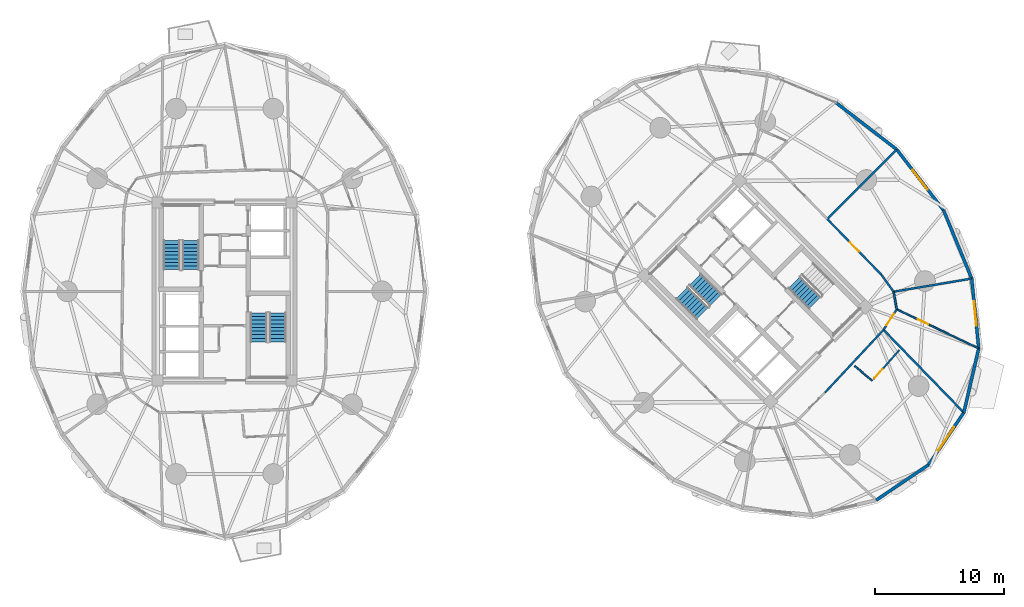
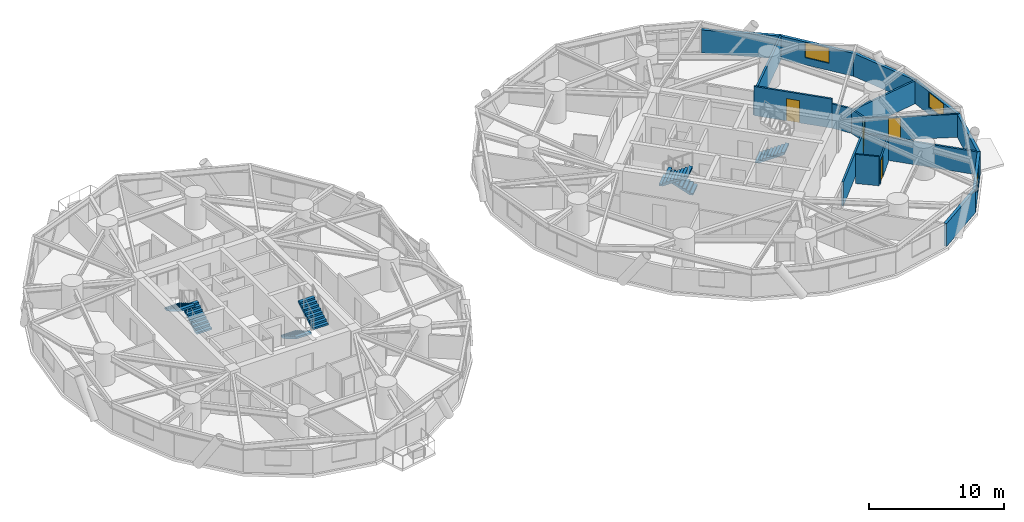
# One storey, part 15 of 19: 18 walls, 7 stair flights, 4 doors, 3 windows, 7 openings, 4 elements without a shape of their own.
"""IFC4 building model written with IfcOpenShell, lengths in metres."""

from ifc_helpers import new_model, si_unit, direction, frame, frame_2d, origin, place, context, subcontext, project, spatial, polyline, rectangle, outline, extrude, source, transform, mapped, material, layer, layer_set, type_object, element, fill, aggregate, save


model = new_model("IFC4")

# Units and contexts
model_context = context("Model", 3, precision=1e-05, world=origin(), true_north=direction((0.0, 1.0)))
body_context = subcontext(model_context, "Body", "Model", "MODEL_VIEW")
ifc_project = project(units=[si_unit("LENGTHUNIT", "METRE"), si_unit("AREAUNIT", "SQUARE_METRE"), si_unit("VOLUMEUNIT", "CUBIC_METRE"), si_unit("PLANEANGLEUNIT", "RADIAN"), si_unit("MASSUNIT", "GRAM", prefix="KILO")], contexts=[model_context])

# Site, building, storey
site_placement = place(None, origin())
site = spatial("IfcSite", under=ifc_project, at=site_placement, CompositionType="ELEMENT")
building_placement = place(site_placement, origin())
building = spatial("IfcBuilding", under=site, at=building_placement, Name="Cununo Teusaquillo Station Towers", CompositionType="ELEMENT")
storey_placement = place(building_placement, frame((0.0, 0.0, 33.639892578125)))
storey = spatial("IfcBuildingStorey", under=building, at=storey_placement, Name="L09", CompositionType="ELEMENT", Elevation=33.639892578125)

# Walls
ifc_material_1 = material(Name="Precast concrete C40/50", Category="concrete")
ifc_layer_1 = layer(ifc_material_1, 0.239990234375)
ifc_layer_set_1 = layer_set([ifc_layer_1], Name="Precast concrete C40/50")
wall_type_1 = type_object("IfcWallType", Name="WL-EXT-240", PredefinedType="SOLIDWALL", material=ifc_layer_set_1)
wall_1_placement = place(storey_placement, frame((63.77783203125, 39.068115234375, 0.0), z_axis=(0.0, 0.0, 1.0), x_axis=(0.792020182601, -0.610494906082, 0.0)))
element("IfcWall", 1, at=wall_1_placement, inside=storey, type_object=wall_type_1, Name="L09 Tower B Exterior Facade Wall C00", PredefinedType="SOLIDWALL", context=body_context, shape_type="SweptSolid", body=[
    extrude(rectangle(XDim=5.9111328125, YDim=0.239990234375, at=frame_2d((2.95556640625, 0.0))), origin(), (0.0, 0.0, 1.0), 2.072998046875),
])
wall_2_placement = place(storey_placement, frame((70.913818359375, 11.086181640625, 0.0), z_axis=(0.0, 0.0, 1.0), x_axis=(-0.828748297084, -0.559621532896, 0.0)))
element("IfcWall", 2, at=wall_2_placement, inside=storey, type_object=wall_type_1, Name="L09 Tower B Exterior Facade Wall C14", PredefinedType="SOLIDWALL", context=body_context, shape_type="SweptSolid", body=[
    extrude(rectangle(XDim=4.878662109375, YDim=0.239990234375, at=frame_2d((2.439453125, 0.0))), origin(), (0.0, 0.0, 1.0), 2.072998046875),
])

# Wall, opening, window
wall_3_placement = place(storey_placement, frame((73.64404296875, 15.12939453125, 0.0), z_axis=(0.0, 0.0, 1.0), x_axis=(-0.559621532896, -0.828748297084, 0.0)))
wall_3 = element("IfcWall", 3, at=wall_3_placement, inside=storey, type_object=wall_type_1, Name="L09 Tower B Exterior Facade Wall C15", PredefinedType="SOLIDWALL", context=body_context, shape_type="SweptSolid", body=[
    extrude(rectangle(XDim=4.878662109375, YDim=0.239990234375, at=frame_2d((2.439453125, 0.0))), origin(), (0.0, 0.0, 1.0), 2.072998046875),
])
shared_shape_1 = source(origin(), body_context, "Body", "SweptSolid", [
    extrude(rectangle(XDim=2.199951171875, YDim=1.35009765625, at=frame_2d((1.10009765625, 0.675048828125))), frame((0.0, 0.1298828125, 0.0), z_axis=(0.0, -1.0, 0.0), x_axis=(1.0, 0.0, 0.0)), (0.0, 0.0, 1.0), 0.260009765625),
])
opening_1_placement = place(wall_3_placement, frame((1.339111328125, 0.0, 0.64990234375)))
opening_1 = element("IfcOpeningElement", 4, at=opening_1_placement, cuts=wall_3, Name="Opening WN-01", PredefinedType="OPENING", context=body_context, shape_type="MappedRepresentation", body=[
    mapped(shared_shape_1, transform((0.0, 0.0, 0.0), x_axis=(1.0, 0.0, 0.0), y_axis=(0.0, 1.0, 0.0), z_axis=(0.0, 0.0, 1.0), scale=1.0)),
])
ifc_material_2 = material(Name="Ceramic-fritted dark low-E double glazing", Category="glass")
window_type_1 = type_object("IfcWindowType", Name="WIN-FRIT-2200", PartitioningType="DOUBLE_PANEL_VERTICAL", PredefinedType="WINDOW", material=ifc_material_2)
shared_shape_2 = source(origin(), body_context, "Body", "SweptSolid", [
    extrude(rectangle(XDim=2.199951171875, YDim=1.35009765625, at=frame_2d((1.10009765625, 0.675048828125))), frame((0.0, 0.030029296875, 0.0), z_axis=(0.0, -1.0, 0.0), x_axis=(1.0, 0.0, 0.0)), (0.0, 0.0, 1.0), 0.06005859375),
])
window_1_placement = place(opening_1_placement, origin())
window_1 = element("IfcWindow", 5, at=window_1_placement, inside=storey, type_object=window_type_1, Name="L09 Tower B Facade Window C15", OverallHeight=1.35009765625, OverallWidth=2.199951171875, PartitioningType="DOUBLE_PANEL_VERTICAL", PredefinedType="WINDOW", context=body_context, shape_type="MappedRepresentation", body=[
    mapped(shared_shape_2, transform((0.0, 0.0, 0.0), x_axis=(1.0, 0.0, 0.0), y_axis=(0.0, 1.0, 0.0), z_axis=(0.0, 0.0, 1.0), scale=1.0)),
])
fill(opening_1, window_1)

# Wall
wall_4_placement = place(storey_placement, frame((74.7939453125, 20.08984375, 0.0), z_axis=(0.0, 0.0, 1.0), x_axis=(-0.22582585901, -0.974167686491, 0.0)))
element("IfcWall", 6, at=wall_4_placement, inside=storey, type_object=wall_type_1, Name="L09 Tower B Exterior Facade Wall C16", PredefinedType="SOLIDWALL", context=body_context, shape_type="SweptSolid", body=[
    extrude(rectangle(XDim=5.092041015625, YDim=0.239990234375, at=frame_2d((2.5458984375, 0.0))), origin(), (0.0, 0.0, 1.0), 2.072998046875),
])

# Wall, opening, window
wall_5_placement = place(storey_placement, frame((74.2509765625, 25.48193359375, 0.0), z_axis=(0.0, 0.0, 1.0), x_axis=(0.100190592135, -0.994968263437, 0.0)))
wall_5 = element("IfcWall", 7, at=wall_5_placement, inside=storey, type_object=wall_type_1, Name="L09 Tower B Exterior Facade Wall C17", PredefinedType="SOLIDWALL", context=body_context, shape_type="SweptSolid", body=[
    extrude(rectangle(XDim=5.41943359375, YDim=0.239990234375, at=frame_2d((2.709716796875, 0.0))), origin(), (0.0, 0.0, 1.0), 2.072998046875),
])
shared_shape_3 = source(origin(), body_context, "Body", "SweptSolid", [
    extrude(rectangle(XDim=1.89990234375, YDim=1.35009765625, at=frame_2d((0.949951171875, 0.675048828125))), frame((0.0, 0.1298828125, 0.0), z_axis=(0.0, -1.0, 0.0), x_axis=(1.0, 0.0, 0.0)), (0.0, 0.0, 1.0), 0.260009765625),
])
opening_2_placement = place(wall_5_placement, frame((1.760009765625, 0.0, 0.64990234375)))
opening_2 = element("IfcOpeningElement", 8, at=opening_2_placement, cuts=wall_5, Name="Opening WN-02", PredefinedType="OPENING", context=body_context, shape_type="MappedRepresentation", body=[
    mapped(shared_shape_3, transform((0.0, 0.0, 0.0), x_axis=(1.0, 0.0, 0.0), y_axis=(0.0, 1.0, 0.0), z_axis=(0.0, 0.0, 1.0), scale=1.0)),
])
ifc_material_3 = material(Name="Operable acoustic tinted low-E double glazing", Category="glass")
window_type_2 = type_object("IfcWindowType", Name="WIN-OPER-1900", PartitioningType="DOUBLE_PANEL_VERTICAL", PredefinedType="WINDOW", material=ifc_material_3)
shared_shape_4 = source(origin(), body_context, "Body", "SweptSolid", [
    extrude(rectangle(XDim=1.89990234375, YDim=1.35009765625, at=frame_2d((0.949951171875, 0.675048828125))), frame((0.0, 0.030029296875, 0.0), z_axis=(0.0, -1.0, 0.0), x_axis=(1.0, 0.0, 0.0)), (0.0, 0.0, 1.0), 0.06005859375),
])
window_2_placement = place(opening_2_placement, origin())
window_2 = element("IfcWindow", 9, at=window_2_placement, inside=storey, type_object=window_type_2, Name="L09 Tower B Facade Window C17", OverallHeight=1.35009765625, OverallWidth=1.89990234375, PartitioningType="DOUBLE_PANEL_VERTICAL", PredefinedType="WINDOW", context=body_context, shape_type="MappedRepresentation", body=[
    mapped(shared_shape_4, transform((0.0, 0.0, 0.0), x_axis=(1.0, 0.0, 0.0), y_axis=(0.0, 1.0, 0.0), z_axis=(0.0, 0.0, 1.0), scale=1.0)),
])
fill(opening_2, window_2)

# Wall
wall_6_placement = place(storey_placement, frame((72.068115234375, 30.77783203125, 0.0), z_axis=(0.0, 0.0, 1.0), x_axis=(0.381077764176, -0.924542988536, 0.0)))
element("IfcWall", 10, at=wall_6_placement, inside=storey, type_object=wall_type_1, Name="L09 Tower B Exterior Facade Wall C18", PredefinedType="SOLIDWALL", context=body_context, shape_type="SweptSolid", body=[
    extrude(rectangle(XDim=5.72802734375, YDim=0.239990234375, at=frame_2d((2.864013671875, 0.0))), origin(), (0.0, 0.0, 1.0), 2.072998046875),
])

# Wall, opening, window
wall_7_placement = place(storey_placement, frame((68.45947265625, 35.45947265625, 0.0), z_axis=(0.0, 0.0, 1.0), x_axis=(0.610494906082, -0.792020182601, 0.0)))
wall_7 = element("IfcWall", 11, at=wall_7_placement, inside=storey, type_object=wall_type_1, Name="L09 Tower B Exterior Facade Wall C19", PredefinedType="SOLIDWALL", context=body_context, shape_type="SweptSolid", body=[
    extrude(rectangle(XDim=5.9111328125, YDim=0.239990234375, at=frame_2d((2.95556640625, 0.0))), origin(), (0.0, 0.0, 1.0), 2.072998046875),
])
opening_3_placement = place(wall_7_placement, frame((2.0048828125, 0.0, 0.64990234375)))
opening_3 = element("IfcOpeningElement", 12, at=opening_3_placement, cuts=wall_7, Name="Opening WN-02", PredefinedType="OPENING", context=body_context, shape_type="MappedRepresentation", body=[
    mapped(shared_shape_3, transform((0.0, 0.0, 0.0), x_axis=(1.0, 0.0, 0.0), y_axis=(0.0, 1.0, 0.0), z_axis=(0.0, 0.0, 1.0), scale=1.0)),
])
window_3_placement = place(opening_3_placement, origin())
window_3 = element("IfcWindow", 13, at=window_3_placement, inside=storey, type_object=window_type_2, Name="L09 Tower B Facade Window C19", OverallHeight=1.35009765625, OverallWidth=1.89990234375, PartitioningType="DOUBLE_PANEL_VERTICAL", PredefinedType="WINDOW", context=body_context, shape_type="MappedRepresentation", body=[
    mapped(shared_shape_4, transform((0.0, 0.0, 0.0), x_axis=(1.0, 0.0, 0.0), y_axis=(0.0, 1.0, 0.0), z_axis=(0.0, 0.0, 1.0), scale=1.0)),
])
fill(opening_3, window_3)

# Wall
ifc_material_4 = material(Name="Fire-rated gypsum plasterboard partition assembly", Category="gypsum")
ifc_layer_2 = layer(ifc_material_4, 0.125)
ifc_layer_set_2 = layer_set([ifc_layer_2], Name="Fire-rated gypsum plasterboard partition assembly")
wall_type_2 = type_object("IfcWallType", Name="WL-PART-125", PredefinedType="PARTITIONING", material=ifc_layer_set_2)
wall_8_placement = place(storey_placement, frame((65.202392578125, 18.721435546875, 0.0), z_axis=(0.0, 0.0, 1.0), x_axis=(0.769814202386, -0.638268042287, 0.0)))
element("IfcWall", 14, at=wall_8_placement, inside=storey, type_object=wall_type_2, Name="L09 Tower B S07 En-suite Side Wall", PredefinedType="PARTITIONING", context=body_context, shape_type="SweptSolid", body=[
    extrude(rectangle(XDim=1.768798828125, YDim=0.125, at=frame_2d((0.88427734375, 0.0))), origin(), (0.0, 0.0, 1.0), 2.635009765625),
])

# Wall, opening, door
wall_9_placement = place(storey_placement, frame((66.667236328125, 17.70947265625, 0.0), z_axis=(0.0, 0.0, 1.0), x_axis=(0.662510581678, 0.749052554341, 0.0)))
wall_9 = element("IfcWall", 15, at=wall_9_placement, inside=storey, type_object=wall_type_2, Name="L09 Tower B S07 En-suite Back Wall", PredefinedType="PARTITIONING", context=body_context, shape_type="SweptSolid", body=[
    extrude(rectangle(XDim=2.99609375, YDim=0.125, at=frame_2d((1.498046875, 0.0))), origin(), (0.0, 0.0, 1.0), 2.1591796875),
])
shared_shape_5 = source(origin(), body_context, "Body", "SweptSolid", [
    extrude(rectangle(XDim=0.89990234375, YDim=2.0048828125, at=frame_2d((0.449951171875, 1.00244140625))), frame((0.0, 0.072509765625, 0.0), z_axis=(0.0, -1.0, 0.0), x_axis=(1.0, 0.0, 0.0)), (0.0, 0.0, 1.0), 0.14501953125),
])
opening_4_placement = place(wall_9_placement, frame((0.1201171875, 0.0, 0.0)))
opening_4 = element("IfcOpeningElement", 16, at=opening_4_placement, cuts=wall_9, Name="Opening D-IN1", PredefinedType="OPENING", context=body_context, shape_type="MappedRepresentation", body=[
    mapped(shared_shape_5, transform((0.0, 0.0, 0.0), x_axis=(1.0, 0.0, 0.0), y_axis=(0.0, 1.0, 0.0), z_axis=(0.0, 0.0, 1.0), scale=1.0)),
])
ifc_material_5 = material(Name="Acoustic solid-core hardwood leaf assembly", Category="wood")
door_type_1 = type_object("IfcDoorType", Name="DR-INT-900", OperationType="NOTDEFINED", PredefinedType="DOOR", material=ifc_material_5)
shared_shape_6 = source(origin(), body_context, "Body", "SweptSolid", [
    extrude(rectangle(XDim=0.89990234375, YDim=2.0048828125, at=frame_2d((0.449951171875, 1.00244140625))), frame((0.0, 0.02490234375, 0.0), z_axis=(0.0, -1.0, 0.0), x_axis=(1.0, 0.0, 0.0)), (0.0, 0.0, 1.0), 0.050048828125),
])
door_1_placement = place(opening_4_placement, origin())
door_1 = element("IfcDoor", 17, at=door_1_placement, inside=storey, type_object=door_type_1, Name="L09 Tower B S07 En-suite Bathroom Door", OperationType="SINGLE_SWING_RIGHT", OverallHeight=2.0048828125, OverallWidth=0.89990234375, PredefinedType="DOOR", context=body_context, shape_type="MappedRepresentation", body=[
    mapped(shared_shape_6, transform((0.0, 0.0, 0.0), x_axis=(1.0, 0.0, 0.0), y_axis=(0.0, 1.0, 0.0), z_axis=(0.0, 0.0, 1.0), scale=1.0)),
])
fill(opening_4, door_1)

wall_10_placement = place(storey_placement, frame((68.45556640625, 23.109619140625, 0.0), z_axis=(0.0, 0.0, 1.0), x_axis=(0.902430819297, -0.430834790125, 0.0)))
wall_10 = element("IfcWall", 18, at=wall_10_placement, inside=storey, type_object=wall_type_2, Name="L09 Tower B Hotel Housekeeping & Linen Pantry Suite Subdividing Wall", PredefinedType="PARTITIONING", context=body_context, shape_type="SweptSolid", body=[
    extrude(rectangle(XDim=7.001708984375, YDim=0.125, at=frame_2d((3.5009765625, 0.0))), origin(), (0.0, 0.0, 1.0), 2.072998046875),
])
opening_5_placement = place(wall_10_placement, frame((1.800048828125, 0.0, 0.0)))
opening_5 = element("IfcOpeningElement", 19, at=opening_5_placement, cuts=wall_10, Name="Opening D-IN1", PredefinedType="OPENING", context=body_context, shape_type="MappedRepresentation", body=[
    mapped(shared_shape_5, transform((0.0, 0.0, 0.0), x_axis=(1.0, 0.0, 0.0), y_axis=(0.0, 1.0, 0.0), z_axis=(0.0, 0.0, 1.0), scale=1.0)),
])
door_2_placement = place(opening_5_placement, origin())
door_2 = element("IfcDoor", 20, at=door_2_placement, inside=storey, type_object=door_type_1, Name="L09 Tower B Hotel Housekeeping & Linen Pantry Suite Connecting Door", OperationType="SINGLE_SWING_RIGHT", OverallHeight=2.0048828125, OverallWidth=0.89990234375, PredefinedType="DOOR", context=body_context, shape_type="MappedRepresentation", body=[
    mapped(shared_shape_6, transform((0.0, 0.0, 0.0), x_axis=(1.0, 0.0, 0.0), y_axis=(0.0, 1.0, 0.0), z_axis=(0.0, 0.0, 1.0), scale=1.0)),
])
fill(opening_5, door_2)

# Wall
ifc_material_6 = material(Name="Fire-rated gypsum plasterboard partition assembly", Category="gypsum")
ifc_layer_3 = layer(ifc_material_6, 0.14990234375)
ifc_layer_set_3 = layer_set([ifc_layer_3], Name="Fire-rated gypsum plasterboard partition assembly")
wall_type_3 = type_object("IfcWallType", Name="WL-PART-150", PredefinedType="PARTITIONING", material=ifc_layer_set_3)
wall_11_placement = place(storey_placement, frame((62.902587890625, 16.66650390625, 0.0), z_axis=(0.0, 0.0, 1.0), x_axis=(0.682371947497, 0.731005147225, 0.0)))
element("IfcWall", 21, at=wall_11_placement, inside=storey, type_object=wall_type_3, Name="L09 Tower B Corridor Ring Wall C15", PredefinedType="PARTITIONING", context=body_context, shape_type="SweptSolid", body=[
    extrude(rectangle(XDim=6.6416015625, YDim=0.14990234375, at=frame_2d((3.32080078125, 0.0))), origin(), (0.0, 0.0, 1.0), 2.1591796875),
])

# Wall, opening, door
wall_12_placement = place(storey_placement, frame((67.4345703125, 21.521484375, 0.0), z_axis=(0.0, 0.0, 1.0), x_axis=(0.540777197838, 0.841165870859, 0.0)))
wall_12 = element("IfcWall", 22, at=wall_12_placement, inside=storey, type_object=wall_type_3, Name="L09 Tower B Corridor Ring Wall C16", PredefinedType="PARTITIONING", context=body_context, shape_type="SweptSolid", body=[
    extrude(rectangle(XDim=1.887939453125, YDim=0.14990234375, at=frame_2d((0.94384765625, 0.0))), origin(), (0.0, 0.0, 1.0), 2.205078125),
])
shared_shape_7 = source(origin(), body_context, "Body", "SweptSolid", [
    extrude(rectangle(XDim=1.050048828125, YDim=2.014892578125, at=frame_2d((0.52490234375, 1.00732421875))), frame((0.0, 0.0849609375, 0.0), z_axis=(0.0, -1.0, 0.0), x_axis=(1.0, 0.0, 0.0)), (0.0, 0.0, 1.0), 0.169921875),
])
opening_6_placement = place(wall_12_placement, frame((0.4189453125, 0.0, 0.0)))
opening_6 = element("IfcOpeningElement", 23, at=opening_6_placement, cuts=wall_12, Name="Opening D-SU1", PredefinedType="OPENING", context=body_context, shape_type="MappedRepresentation", body=[
    mapped(shared_shape_7, transform((0.0, 0.0, 0.0), x_axis=(1.0, 0.0, 0.0), y_axis=(0.0, 1.0, 0.0), z_axis=(0.0, 0.0, 1.0), scale=1.0)),
])
ifc_material_7 = material(Name="Acoustic solid-core hardwood leaf assembly", Category="wood")
door_type_2 = type_object("IfcDoorType", Name="DR-SUITE-1050", OperationType="NOTDEFINED", PredefinedType="DOOR", material=ifc_material_7)
shared_shape_8 = source(origin(), body_context, "Body", "SweptSolid", [
    extrude(rectangle(XDim=1.050048828125, YDim=2.014892578125, at=frame_2d((0.52490234375, 1.00732421875))), frame((0.0, 0.02490234375, 0.0), z_axis=(0.0, -1.0, 0.0), x_axis=(1.0, 0.0, 0.0)), (0.0, 0.0, 1.0), 0.050048828125),
])
door_3_placement = place(opening_6_placement, origin())
door_3 = element("IfcDoor", 24, at=door_3_placement, inside=storey, type_object=door_type_2, Name="L09 Tower B Hotel Housekeeping & Linen Pantry Entrance Door", OperationType="SINGLE_SWING_LEFT", OverallHeight=2.014892578125, OverallWidth=1.050048828125, PredefinedType="DOOR", context=body_context, shape_type="MappedRepresentation", body=[
    mapped(shared_shape_8, transform((0.0, 0.0, 0.0), x_axis=(1.0, 0.0, 0.0), y_axis=(0.0, 1.0, 0.0), z_axis=(0.0, 0.0, 1.0), scale=1.0)),
])
fill(opening_6, door_3)

# Walls
wall_13_placement = place(storey_placement, frame((68.45556640625, 23.109619140625, 0.0), z_axis=(0.0, 0.0, 1.0), x_axis=(-0.1772522795, 0.984165448191, 0.0)))
element("IfcWall", 25, at=wall_13_placement, inside=storey, type_object=wall_type_3, Name="L09 Tower B Corridor Ring Wall C17", PredefinedType="PARTITIONING", context=body_context, shape_type="SweptSolid", body=[
    extrude(rectangle(XDim=1.381591796875, YDim=0.14990234375, at=frame_2d((0.69091796875, 0.0))), origin(), (0.0, 0.0, 1.0), 2.1591796875),
])
wall_14_placement = place(storey_placement, frame((68.210693359375, 24.46923828125, 0.0), z_axis=(0.0, 0.0, 1.0), x_axis=(-0.583012141368, 0.812463441034, 0.0)))
element("IfcWall", 26, at=wall_14_placement, inside=storey, type_object=wall_type_3, Name="L09 Tower B Corridor Ring Wall C18", PredefinedType="PARTITIONING", context=body_context, shape_type="SweptSolid", body=[
    extrude(rectangle(XDim=1.613037109375, YDim=0.14990234375, at=frame_2d((0.806640625, 0.0))), origin(), (0.0, 0.0, 1.0), 2.205078125),
])

# Wall, opening, door
wall_15_placement = place(storey_placement, frame((67.270263671875, 25.77978515625, 0.0), z_axis=(0.0, 0.0, 1.0), x_axis=(-0.696847842907, 0.717218992942, 0.0)))
wall_15 = element("IfcWall", 27, at=wall_15_placement, inside=storey, type_object=wall_type_3, Name="L09 Tower B Corridor Ring Wall C19", PredefinedType="PARTITIONING", context=body_context, shape_type="SweptSolid", body=[
    extrude(rectangle(XDim=6.00439453125, YDim=0.14990234375, at=frame_2d((3.002197265625, 0.0))), origin(), (0.0, 0.0, 1.0), 2.635009765625),
])
shared_shape_9 = source(origin(), body_context, "Body", "SweptSolid", [
    extrude(rectangle(XDim=1.0, YDim=2.014892578125, at=frame_2d((0.5, 1.00732421875))), frame((0.0, 0.0849609375, 0.0), z_axis=(0.0, -1.0, 0.0), x_axis=(1.0, 0.0, 0.0)), (0.0, 0.0, 1.0), 0.169921875),
])
opening_7_placement = place(wall_15_placement, frame((2.502197265625, 0.0, 0.0)))
opening_7 = element("IfcOpeningElement", 28, at=opening_7_placement, cuts=wall_15, Name="Opening D-AC1", PredefinedType="OPENING", context=body_context, shape_type="MappedRepresentation", body=[
    mapped(shared_shape_9, transform((0.0, 0.0, 0.0), x_axis=(1.0, 0.0, 0.0), y_axis=(0.0, 1.0, 0.0), z_axis=(0.0, 0.0, 1.0), scale=1.0)),
])
ifc_material_8 = material(Name="Acoustic solid-core hardwood leaf assembly", Category="wood")
door_type_3 = type_object("IfcDoorType", Name="DR-ACC-1000", OperationType="NOTDEFINED", PredefinedType="DOOR", material=ifc_material_8)
shared_shape_10 = source(origin(), body_context, "Body", "SweptSolid", [
    extrude(rectangle(XDim=1.0, YDim=2.014892578125, at=frame_2d((0.5, 1.00732421875))), frame((0.0, 0.02490234375, 0.0), z_axis=(0.0, -1.0, 0.0), x_axis=(1.0, 0.0, 0.0)), (0.0, 0.0, 1.0), 0.050048828125),
])
door_4_placement = place(opening_7_placement, origin())
door_4 = element("IfcDoor", 29, at=door_4_placement, inside=storey, type_object=door_type_3, Name="L09 Tower B Public Accessible Restroom WC Entrance Door", OperationType="SINGLE_SWING_LEFT", OverallHeight=2.014892578125, OverallWidth=1.0, PredefinedType="DOOR", context=body_context, shape_type="MappedRepresentation", body=[
    mapped(shared_shape_10, transform((0.0, 0.0, 0.0), x_axis=(1.0, 0.0, 0.0), y_axis=(0.0, 1.0, 0.0), z_axis=(0.0, 0.0, 1.0), scale=1.0)),
])
fill(opening_7, door_4)

# Walls
ifc_material_9 = material(Name="Fire-rated gypsum plasterboard partition assembly", Category="gypsum")
ifc_layer_4 = layer(ifc_material_9, 0.159912109375)
ifc_layer_set_4 = layer_set([ifc_layer_4], Name="Fire-rated gypsum plasterboard partition assembly")
wall_type_4 = type_object("IfcWallType", Name="WL-PART-160", PredefinedType="PARTITIONING", material=ifc_layer_set_4)
wall_16_placement = place(storey_placement, frame((63.086181640625, 30.086181640625, 0.0), z_axis=(0.0, 0.0, 1.0), x_axis=(0.707106781187, 0.707106781187, 0.0)))
element("IfcWall", 30, at=wall_16_placement, inside=storey, type_object=wall_type_4, Name="L09 Tower B Radial Suite Partition R01", PredefinedType="PARTITIONING", context=body_context, shape_type="SweptSolid", body=[
    extrude(rectangle(XDim=7.578857421875, YDim=0.159912109375, at=frame_2d((3.78955078125, 0.0))), origin(), (0.0, 0.0, 1.0), 2.072998046875),
])
wall_17_placement = place(storey_placement, frame((67.4345703125, 21.521484375, 0.0), z_axis=(0.0, 0.0, 1.0), x_axis=(0.6962628802, -0.717786877601, 0.0)))
element("IfcWall", 31, at=wall_17_placement, inside=storey, type_object=wall_type_4, Name="L09 Tower B Radial Suite Partition R09", PredefinedType="PARTITIONING", context=body_context, shape_type="SweptSolid", body=[
    extrude(rectangle(XDim=8.892578125, YDim=0.159912109375, at=frame_2d((4.4462890625, 0.0))), origin(), (0.0, 0.0, 1.0), 2.072998046875),
])
wall_18_placement = place(storey_placement, frame((68.210693359375, 24.46923828125, 0.0), z_axis=(0.0, 0.0, 1.0), x_axis=(0.986231309699, 0.165371713934, 0.0)))
element("IfcWall", 32, at=wall_18_placement, inside=storey, type_object=wall_type_4, Name="L09 Tower B Radial Suite Partition R10", PredefinedType="PARTITIONING", context=body_context, shape_type="SweptSolid", body=[
    extrude(rectangle(XDim=6.1044921875, YDim=0.159912109375, at=frame_2d((3.05224609375, 0.0))), origin(), (0.0, 0.0, 1.0), 2.072998046875),
])

# Stair, stair flights
ifc_material_10 = material(Name="Concrete C50/60", Category="concrete")
stair_type = type_object("IfcStairType", Name="ST-TWR-1300", PredefinedType="HALF_TURN_STAIR", material=ifc_material_10)
stair_1_placement = place(storey_placement, origin())
stair_1 = element("IfcStair", 33, at=stair_1_placement, inside=storey, type_object=stair_type, Name="L09 Tower A Protected Core Exit Stair 1", PredefinedType="HALF_TURN_STAIR")
ifc_material_11 = material(Name="Concrete C50/60", Category="concrete")
stair_flight_type = type_object("IfcStairFlightType", Name="SFL-TWR-1300", PredefinedType="STRAIGHT", material=ifc_material_11)
stair_flight_1_placement = place(storey_placement, frame((13.8701171875, 26.169921875, 0.0), z_axis=(0.0, 0.0, 1.0), x_axis=(0.0, 1.0, 0.0)))
stair_flight_1 = element("IfcStairFlight", 34, at=stair_flight_1_placement, type_object=stair_flight_type, Name="ST-T1-1 flight 1", NumberOfRisers=9, NumberOfTreads=8, PredefinedType="STRAIGHT", RiserHeight=0.161666667, TreadLength=0.28, context=body_context, shape_type="SweptSolid", body=[
    extrude(outline(polyline([(0.0, 0.0), (0.0, 0.16162109375), (0.280029296875, 0.16162109375), (0.280029296875, 0.3232421875), (0.56005859375, 0.3232421875), (0.56005859375, 0.485107421875), (0.840087890625, 0.485107421875), (0.840087890625, 0.646728515625), (1.1201171875, 0.646728515625), (1.1201171875, 0.808349609375), (1.39990234375, 0.808349609375), (1.39990234375, 0.969970703125), (1.679931640625, 0.969970703125), (1.679931640625, 1.131591796875), (1.9599609375, 1.131591796875), (1.9599609375, 1.293212890625), (2.239990234375, 1.293212890625), (2.239990234375, 1.455078125), (2.239990234375, 1.1201171875), (0.2998046875, 0.0), (0.0, 0.0)])), frame((0.0, 0.64990234375, 0.0), z_axis=(0.0, -1.0, 0.0), x_axis=(1.0, 0.0, 0.0)), (0.0, 0.0, 1.0), 1.300048828125),
])
stair_flight_2_placement = place(storey_placement, frame((12.409912109375, 28.409912109375, 1.455078125), z_axis=(0.0, 0.0, 1.0), x_axis=(0.0, -1.0, 0.0)))
stair_flight_2 = element("IfcStairFlight", 35, at=stair_flight_2_placement, type_object=stair_flight_type, Name="ST-T1-1 flight 2", NumberOfRisers=9, NumberOfTreads=8, PredefinedType="STRAIGHT", RiserHeight=0.161666667, TreadLength=0.28, context=body_context, shape_type="SweptSolid", body=[
    extrude(outline(polyline([(0.0, 0.0), (0.0, 0.16162109375), (0.280029296875, 0.16162109375), (0.280029296875, 0.3232421875), (0.56005859375, 0.3232421875), (0.56005859375, 0.485107421875), (0.840087890625, 0.485107421875), (0.840087890625, 0.646728515625), (1.1201171875, 0.646728515625), (1.1201171875, 0.808349609375), (1.39990234375, 0.808349609375), (1.39990234375, 0.969970703125), (1.679931640625, 0.969970703125), (1.679931640625, 1.131591796875), (1.9599609375, 1.131591796875), (1.9599609375, 1.293212890625), (2.239990234375, 1.293212890625), (2.239990234375, 1.455078125), (2.239990234375, 1.1201171875), (0.2998046875, 0.0), (0.0, 0.0)])), frame((0.0, 0.64990234375, 0.0), z_axis=(0.0, -1.0, 0.0), x_axis=(1.0, 0.0, 0.0)), (0.0, 0.0, 1.0), 1.300048828125),
])
aggregate(stair_1, [stair_flight_1, stair_flight_2])

stair_2_placement = place(storey_placement, origin())
stair_2 = element("IfcStair", 36, at=stair_2_placement, inside=storey, type_object=stair_type, Name="L09 Tower A Protected Core Exit Stair 2", PredefinedType="HALF_TURN_STAIR")
stair_flight_3_placement = place(storey_placement, frame((19.1298828125, 22.830078125, 0.0), z_axis=(0.0, 0.0, 1.0), x_axis=(0.0, -1.0, 0.0)))
stair_flight_3 = element("IfcStairFlight", 37, at=stair_flight_3_placement, type_object=stair_flight_type, Name="ST-T1-2 flight 1", NumberOfRisers=9, NumberOfTreads=8, PredefinedType="STRAIGHT", RiserHeight=0.161666667, TreadLength=0.28, context=body_context, shape_type="SweptSolid", body=[
    extrude(outline(polyline([(0.0, 0.0), (0.0, 0.16162109375), (0.280029296875, 0.16162109375), (0.280029296875, 0.3232421875), (0.56005859375, 0.3232421875), (0.56005859375, 0.485107421875), (0.840087890625, 0.485107421875), (0.840087890625, 0.646728515625), (1.1201171875, 0.646728515625), (1.1201171875, 0.808349609375), (1.39990234375, 0.808349609375), (1.39990234375, 0.969970703125), (1.679931640625, 0.969970703125), (1.679931640625, 1.131591796875), (1.9599609375, 1.131591796875), (1.9599609375, 1.293212890625), (2.239990234375, 1.293212890625), (2.239990234375, 1.455078125), (2.239990234375, 1.1201171875), (0.2998046875, 0.0), (0.0, 0.0)])), frame((0.0, 0.64990234375, 0.0), z_axis=(0.0, -1.0, 0.0), x_axis=(1.0, 0.0, 0.0)), (0.0, 0.0, 1.0), 1.300048828125),
])
stair_flight_4_placement = place(storey_placement, frame((20.590087890625, 20.590087890625, 1.455078125), z_axis=(0.0, 0.0, 1.0), x_axis=(0.0, 1.0, 0.0)))
stair_flight_4 = element("IfcStairFlight", 38, at=stair_flight_4_placement, type_object=stair_flight_type, Name="ST-T1-2 flight 2", NumberOfRisers=9, NumberOfTreads=8, PredefinedType="STRAIGHT", RiserHeight=0.161666667, TreadLength=0.28, context=body_context, shape_type="SweptSolid", body=[
    extrude(outline(polyline([(0.0, 0.0), (0.0, 0.16162109375), (0.280029296875, 0.16162109375), (0.280029296875, 0.3232421875), (0.56005859375, 0.3232421875), (0.56005859375, 0.485107421875), (0.840087890625, 0.485107421875), (0.840087890625, 0.646728515625), (1.1201171875, 0.646728515625), (1.1201171875, 0.808349609375), (1.39990234375, 0.808349609375), (1.39990234375, 0.969970703125), (1.679931640625, 0.969970703125), (1.679931640625, 1.131591796875), (1.9599609375, 1.131591796875), (1.9599609375, 1.293212890625), (2.239990234375, 1.293212890625), (2.239990234375, 1.455078125), (2.239990234375, 1.1201171875), (0.2998046875, 0.0), (0.0, 0.0)])), frame((0.0, 0.64990234375, 0.0), z_axis=(0.0, -1.0, 0.0), x_axis=(1.0, 0.0, 0.0)), (0.0, 0.0, 1.0), 1.300048828125),
])
aggregate(stair_2, [stair_flight_3, stair_flight_4])

stair_3_placement = place(storey_placement, origin())
stair_3 = element("IfcStair", 39, at=stair_3_placement, inside=storey, type_object=stair_type, Name="L09 Tower B Protected Core Exit Stair 1", PredefinedType="HALF_TURN_STAIR")
stair_flight_5_placement = place(storey_placement, frame((54.45947265625, 23.8212890625, 0.0), z_axis=(0.0, 0.0, 1.0), x_axis=(-0.707106781187, 0.707106781187, 0.0)))
stair_flight_5 = element("IfcStairFlight", 40, at=stair_flight_5_placement, type_object=stair_flight_type, Name="ST-T2-1 flight 1", NumberOfRisers=9, NumberOfTreads=8, PredefinedType="STRAIGHT", RiserHeight=0.161666667, TreadLength=0.28, context=body_context, shape_type="SweptSolid", body=[
    extrude(outline(polyline([(0.0, 0.0), (0.0, 0.16162109375), (0.280029296875, 0.16162109375), (0.280029296875, 0.3232421875), (0.56005859375, 0.3232421875), (0.56005859375, 0.485107421875), (0.840087890625, 0.485107421875), (0.840087890625, 0.646728515625), (1.1201171875, 0.646728515625), (1.1201171875, 0.808349609375), (1.39990234375, 0.808349609375), (1.39990234375, 0.969970703125), (1.679931640625, 0.969970703125), (1.679931640625, 1.131591796875), (1.9599609375, 1.131591796875), (1.9599609375, 1.293212890625), (2.239990234375, 1.293212890625), (2.239990234375, 1.455078125), (2.239990234375, 1.1201171875), (0.2998046875, 0.0), (0.0, 0.0)])), frame((0.0, 0.64990234375, 0.0), z_axis=(0.0, -1.0, 0.0), x_axis=(1.0, 0.0, 0.0)), (0.0, 0.0, 1.0), 1.300048828125),
])
stair_flight_6_placement = place(storey_placement, frame((51.84326171875, 24.372802734375, 1.455078125), z_axis=(0.0, 0.0, 1.0), x_axis=(0.707106781187, -0.707106781187, 0.0)))
stair_flight_6 = element("IfcStairFlight", 41, at=stair_flight_6_placement, type_object=stair_flight_type, Name="ST-T2-1 flight 2", NumberOfRisers=9, NumberOfTreads=8, PredefinedType="STRAIGHT", RiserHeight=0.161666667, TreadLength=0.28, context=body_context, shape_type="SweptSolid", body=[
    extrude(outline(polyline([(0.0, 0.0), (0.0, 0.16162109375), (0.280029296875, 0.16162109375), (0.280029296875, 0.3232421875), (0.56005859375, 0.3232421875), (0.56005859375, 0.485107421875), (0.840087890625, 0.485107421875), (0.840087890625, 0.646728515625), (1.1201171875, 0.646728515625), (1.1201171875, 0.808349609375), (1.39990234375, 0.808349609375), (1.39990234375, 0.969970703125), (1.679931640625, 0.969970703125), (1.679931640625, 1.131591796875), (1.9599609375, 1.131591796875), (1.9599609375, 1.293212890625), (2.239990234375, 1.293212890625), (2.239990234375, 1.455078125), (2.239990234375, 1.1201171875), (0.2998046875, 0.0), (0.0, 0.0)])), frame((0.0, 0.64990234375, 0.0), z_axis=(0.0, -1.0, 0.0), x_axis=(1.0, 0.0, 0.0)), (0.0, 0.0, 1.0), 1.300048828125),
])
aggregate(stair_3, [stair_flight_5, stair_flight_6])

# Stair, stair flight
stair_4_placement = place(storey_placement, origin())
stair_4 = element("IfcStair", 42, at=stair_4_placement, inside=storey, type_object=stair_type, Name="L09 Tower B Protected Core Exit Stair 2", PredefinedType="HALF_TURN_STAIR")
stair_flight_7_placement = place(storey_placement, frame((60.54052734375, 25.1787109375, 0.0), z_axis=(0.0, 0.0, 1.0), x_axis=(0.707106781187, -0.707106781187, 0.0)))
stair_flight_7 = element("IfcStairFlight", 43, at=stair_flight_7_placement, type_object=stair_flight_type, Name="ST-T2-2 flight 1", NumberOfRisers=9, NumberOfTreads=8, PredefinedType="STRAIGHT", RiserHeight=0.161666667, TreadLength=0.28, context=body_context, shape_type="SweptSolid", body=[
    extrude(outline(polyline([(0.0, 0.0), (0.0, 0.16162109375), (0.280029296875, 0.16162109375), (0.280029296875, 0.3232421875), (0.56005859375, 0.3232421875), (0.56005859375, 0.485107421875), (0.840087890625, 0.485107421875), (0.840087890625, 0.646728515625), (1.1201171875, 0.646728515625), (1.1201171875, 0.808349609375), (1.39990234375, 0.808349609375), (1.39990234375, 0.969970703125), (1.679931640625, 0.969970703125), (1.679931640625, 1.131591796875), (1.9599609375, 1.131591796875), (1.9599609375, 1.293212890625), (2.239990234375, 1.293212890625), (2.239990234375, 1.455078125), (2.239990234375, 1.1201171875), (0.2998046875, 0.0), (0.0, 0.0)])), frame((0.0, 0.64990234375, 0.0), z_axis=(0.0, -1.0, 0.0), x_axis=(1.0, 0.0, 0.0)), (0.0, 0.0, 1.0), 1.300048828125),
])
aggregate(stair_4, [stair_flight_7])

save(model, "model.ifc")
